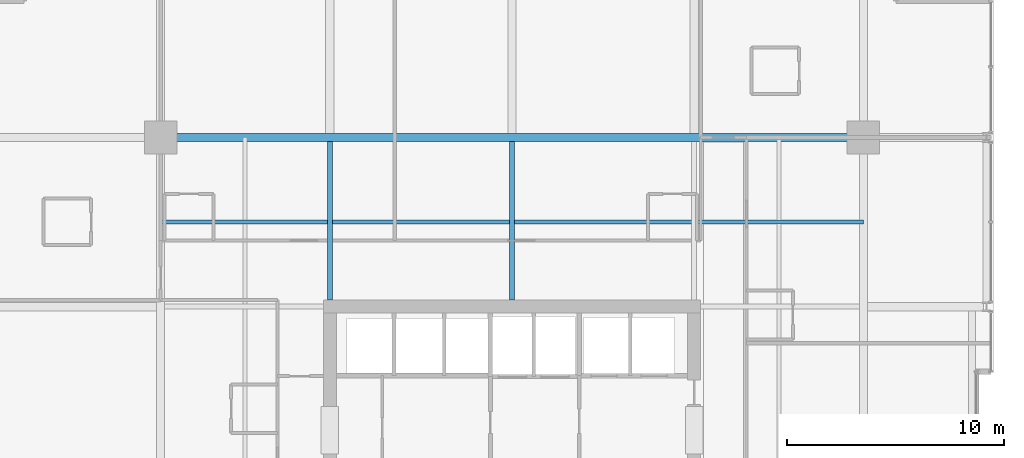
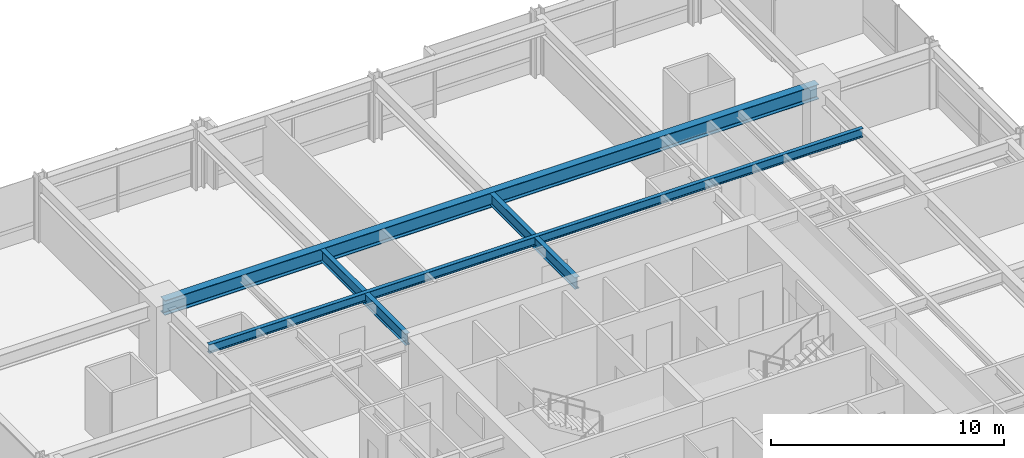
# One storey, part 19 of 34: 4 beams.
"""IFC4 building model written with IfcOpenShell, lengths in metres."""

import ifcopenshell
import ifcopenshell.guid

model = None  # the IFC model being written
_history = None  # IfcOwnerHistory: only IFC2X3 demands one
_inside = {}  # id of a spatial element -> (the spatial element, [elements in it])
_under = {}  # id of a project, library or spatial element -> (it, [spatial elements below it])
_declared = {}  # id of a project -> (the project, [libraries it declares])
_typed = {}  # id of a type object -> (the type object, [elements of that type])
_made_of = {}  # id of a material, layer set ... -> (it, [elements and type objects made of it])


def new_model(schema):
    """Start an empty IFC model of exactly this schema.

    Asked for "IFC4X3", IfcOpenShell would pick the latest addendum, in which some entities
    have other attributes; the version numbers below select the first issue.
    IFC2X3 requires an IfcOwnerHistory on every rooted entity: one is made here for all.
    """
    global model, _history
    if schema == "IFC4X3":
        model = ifcopenshell.file(schema_version=(4, 3, 0, 0))
    else:
        model = ifcopenshell.file(schema=schema)
    _inside.clear()
    _under.clear()
    _declared.clear()
    _typed.clear()
    _made_of.clear()
    _history = None
    if model.schema == "IFC2X3":
        org = make("IfcOrganization", Name="unknown")
        user = make(
            "IfcPersonAndOrganization",
            ThePerson=make("IfcPerson", FamilyName="unknown"),
            TheOrganization=org,
        )
        app = make(
            "IfcApplication",
            ApplicationDeveloper=org,
            Version="unknown",
            ApplicationFullName="unknown",
            ApplicationIdentifier="unknown",
        )
        _history = make(
            "IfcOwnerHistory",
            OwningUser=user,
            OwningApplication=app,
            ChangeAction="ADDED",
            CreationDate=0,
        )
    return model


def make(cls, **values):
    """One entity of the class cls with the attributes given. An attribute that is None is left unset."""
    return model.create_entity(
        cls, **{name: value for name, value in values.items() if value is not None}
    )


def rooted(cls, **values):
    """An entity with a GlobalId (a new one), such as an element, a storey or a relation."""
    return make(cls, GlobalId=ifcopenshell.guid.new(), OwnerHistory=_history, **values)


def si_unit(unit_type, name, prefix=None):
    """IfcSIUnit, for example si_unit("LENGTHUNIT", "METRE", prefix="MILLI")."""
    return make("IfcSIUnit", UnitType=unit_type, Prefix=prefix, Name=name)


def assignment(units):
    """IfcUnitAssignment: the units of a project."""
    return None if units is None else make("IfcUnitAssignment", Units=units)


def point(xyz):
    """IfcCartesianPoint."""
    return None if xyz is None else make("IfcCartesianPoint", Coordinates=xyz)


def direction(xyz):
    """IfcDirection."""
    return None if xyz is None else make("IfcDirection", DirectionRatios=xyz)


def frame(location, z_axis=None, x_axis=None):
    """IfcAxis2Placement3D, a coordinate frame: its origin and axes. An axis left out is left unset."""
    return make(
        "IfcAxis2Placement3D",
        Location=point(location),
        Axis=direction(z_axis),
        RefDirection=direction(x_axis),
    )


def frame_2d(location, x_axis=None):
    """IfcAxis2Placement2D, a coordinate frame in the plane: its origin and x axis."""
    return make(
        "IfcAxis2Placement2D", Location=point(location), RefDirection=direction(x_axis)
    )


def origin():
    """The frame at (0, 0, 0) with its axes left unset."""
    return frame((0.0, 0.0, 0.0))


def origin_2d():
    """The frame at (0, 0) in the plane with its x axis left unset."""
    return frame_2d((0.0, 0.0))


def place(relative_to, where):
    """IfcLocalPlacement: puts the frame where relative to a parent placement (None: the world)."""
    return make(
        "IfcLocalPlacement", PlacementRelTo=relative_to, RelativePlacement=where
    )


def context(
    kind, dimensions, precision=None, world=None, true_north=None, identifier=None
):
    """IfcGeometricRepresentationContext, for example the 3D "Model" context."""
    return make(
        "IfcGeometricRepresentationContext",
        ContextIdentifier=identifier,
        ContextType=kind,
        CoordinateSpaceDimension=dimensions,
        Precision=precision,
        WorldCoordinateSystem=world,
        TrueNorth=true_north,
    )


def subcontext(parent, identifier, kind, view, scale=None):
    """IfcGeometricRepresentationSubContext, for example "Body" below "Model"."""
    return make(
        "IfcGeometricRepresentationSubContext",
        ContextIdentifier=identifier,
        ContextType=kind,
        ParentContext=parent,
        TargetScale=scale,
        TargetView=view,
    )


def project(units=None, contexts=None):
    """IfcProject with its units and contexts."""
    return rooted(
        "IfcProject",
        Name="project",
        RepresentationContexts=contexts,
        UnitsInContext=assignment(units),
    )


def spatial(cls, under=None, at=None, **own):
    """A site, building, storey or space (cls), placed at a placement, below another one or the project."""
    s = rooted(cls, ObjectPlacement=at, **own)
    if under is not None:
        _under.setdefault(under.id(), (under, []))[1].append(s)
    return s


def profile(cls, at=None, kind="AREA", **sizes):
    """A parametric profile (cls). Its sizes go by their IFC names, for example OverallWidth=200.0."""
    return make(cls, ProfileType=kind, Position=at, **sizes)


def i_section(**sizes):
    """IfcIShapeProfileDef."""
    return profile("IfcIShapeProfileDef", **sizes)


def extrude(swept, where, along, depth):
    """IfcExtrudedAreaSolid: the profile swept, set in the frame where, extruded along a direction by depth."""
    return make(
        "IfcExtrudedAreaSolid",
        SweptArea=swept,
        Position=where,
        ExtrudedDirection=direction(along),
        Depth=depth,
    )


def shape(context_of_items, identifier, shape_type, items):
    """IfcShapeRepresentation: the items that make up one representation, for example the "Body"."""
    return make(
        "IfcShapeRepresentation",
        ContextOfItems=context_of_items,
        RepresentationIdentifier=identifier,
        RepresentationType=shape_type,
        Items=items,
    )


def material(Name=None, Category=None):
    """IfcMaterial."""
    return make("IfcMaterial", Name=Name, Category=Category)


def material_profile(
    of_material, cross_section, Name=None, Category=None, Priority=None
):
    """IfcMaterialProfile: a cross section and its material."""
    return make(
        "IfcMaterialProfile",
        Name=Name,
        Material=of_material,
        Profile=cross_section,
        Priority=Priority,
        Category=Category,
    )


def profile_set(profiles, Name=None, composite=None):
    """IfcMaterialProfileSet."""
    return make(
        "IfcMaterialProfileSet",
        Name=Name,
        MaterialProfiles=profiles,
        CompositeProfile=composite,
    )


def made_of(thing, what):
    """Note that an element or type object is made of a material, layer set ...; save() writes the relation."""
    if what is not None:
        _made_of.setdefault(what.id(), (what, []))[1].append(thing)
    return thing


def type_object(cls, material=None, **own):
    """A type object (cls), such as IfcWallType, which elements share."""
    return made_of(rooted(cls, **own), material)


def element(
    cls,
    number,
    at=None,
    inside=None,
    cuts=None,
    type_object=None,
    material=None,
    context=None,
    identifier="Body",
    shape_type=None,
    held_by="IfcProductDefinitionShape",
    body=None,
    shapes=None,
    **own,
):
    """One element of the class cls, such as IfcWall. Its Tag is "e" and its number.

    at: its placement. inside: the storey or other place that contains it. cuts: it is an
    opening in that element (IfcRelVoidsElement). A single representation is given by context,
    identifier, shape_type and body (its items); several are given by shapes. held_by: the class
    of the entity that holds the representations. save() writes the other relations.
    """
    e = rooted(cls, Tag="e%d" % number, ObjectPlacement=at, **own)
    if body is not None:
        shapes = [shape(context, identifier, shape_type, body)]
    if shapes is not None:
        e.Representation = make(held_by, Representations=shapes)
    if inside is not None:
        _inside.setdefault(inside.id(), (inside, []))[1].append(e)
    if cuts is not None:
        rooted(
            "IfcRelVoidsElement", RelatingBuildingElement=cuts, RelatedOpeningElement=e
        )
    if type_object is not None:
        _typed.setdefault(type_object.id(), (type_object, []))[1].append(e)
    return made_of(e, material)


def aggregate(whole, parts):
    """IfcRelAggregates: a whole, such as a stair, and the parts it consists of."""
    return rooted("IfcRelAggregates", RelatingObject=whole, RelatedObjects=parts)


def save(model, path):
    """Write the relations noted so far, then the file.

    IfcRelAggregates (storeys below a building ...), IfcRelContainedInSpatialStructure (elements
    in a storey), IfcRelDefinesByType, IfcRelAssociatesMaterial and IfcRelDeclares: one each for
    every whole, place, type object, material and project.
    """
    for whole, parts in _under.values():
        aggregate(whole, parts)
    for where, things in _inside.values():
        rooted(
            "IfcRelContainedInSpatialStructure",
            RelatedElements=things,
            RelatingStructure=where,
        )
    for kind, things in _typed.values():
        rooted("IfcRelDefinesByType", RelatedObjects=things, RelatingType=kind)
    for what, things in _made_of.values():
        rooted("IfcRelAssociatesMaterial", RelatedObjects=things, RelatingMaterial=what)
    for by, libraries in _declared.values():
        rooted("IfcRelDeclares", RelatingContext=by, RelatedDefinitions=libraries)
    model.write(path)


model = new_model("IFC4")

# Units and contexts
model_context = context("Model", 3, precision=1e-05, world=origin(), true_north=direction((0.0, 1.0)))
body_context = subcontext(model_context, "Body", "Model", "MODEL_VIEW")
ifc_project = project(units=[si_unit("LENGTHUNIT", "METRE"), si_unit("AREAUNIT", "SQUARE_METRE"), si_unit("VOLUMEUNIT", "CUBIC_METRE"), si_unit("PLANEANGLEUNIT", "RADIAN"), si_unit("MASSUNIT", "GRAM", prefix="KILO")], contexts=[model_context])

# Site, building, storey
site_placement = place(None, origin())
site = spatial("IfcSite", under=ifc_project, at=site_placement, CompositionType="ELEMENT")
building_placement = place(site_placement, origin())
building = spatial("IfcBuilding", under=site, at=building_placement, Name="Drelvath Grand Hotel", CompositionType="ELEMENT")
storey_placement = place(building_placement, frame((0.0, 0.0, 116.300048828125)))
storey = spatial("IfcBuildingStorey", under=building, at=storey_placement, Name="L29", CompositionType="ELEMENT", Elevation=116.300048828125)

# Beams
ifc_material = material(Name="Steel ASTM A992 Gr 50", Category="steel")
ifc_material_profile_1 = material_profile(ifc_material, i_section(OverallWidth=0.19140625, OverallDepth=0.4599609375, WebThickness=0.010009765625, FlangeThickness=0.01611328125, FilletRadius=0.01611328125, at=origin_2d()), Name="W18X55")
ifc_profile_set_1 = profile_set([ifc_material_profile_1], Name="Steel ASTM A992 Gr 50")
beam_type_1 = type_object("IfcBeamType", Name="Composite Floor Joist W18X55", PredefinedType="JOIST", material=ifc_profile_set_1)
beam_1_placement = place(storey_placement, frame((-16.199951171875, 39.300048828125, 3.010009765625), z_axis=(1.0, 0.0, 0.0), x_axis=(0.0, 1.0, 0.0)))
element("IfcBeam", 1, at=beam_1_placement, inside=storey, type_object=beam_type_1, Name="L29 Floor Joist J2", PredefinedType="JOIST", context=body_context, shape_type="SweptSolid", body=[
    extrude(i_section(OverallWidth=0.19140625, OverallDepth=0.4599609375, WebThickness=0.010009765625, FlangeThickness=0.01611328125, FilletRadius=0.01611328125, at=origin_2d()), origin(), (0.0, 0.0, 1.0), 32.39990234375),
])
ifc_material_profile_2 = material_profile(ifc_material, i_section(OverallWidth=0.228271484375, OverallDepth=0.607666015625, WebThickness=0.01123046875, FlangeThickness=0.017333984375, FilletRadius=0.02001953125, at=origin_2d()), Name="W24X76")
ifc_profile_set_2 = profile_set([ifc_material_profile_2], Name="Steel ASTM A992 Gr 50")
beam_type_2 = type_object("IfcBeamType", Name="Primary Floor Girder W24X76", PredefinedType="BEAM", material=ifc_profile_set_2)
for number, where, z_axis, x_axis, name in (
    (2, (-8.39990234375, 35.699951171875, 2.93603515625), (0.0, 1.0, 0.0), (-1.0, 0.0, 0.0), "L29 North Core Tie 4"),
    (3, (0.0, 35.699951171875, 2.93603515625), (0.0, 1.0, 0.0), (-1.0, 0.0, 0.0), "L29 North Core Tie 5"),
):
    element("IfcBeam", number, at=place(storey_placement, frame(where, z_axis=z_axis, x_axis=x_axis)), inside=storey, type_object=beam_type_2, Name=name, PredefinedType="BEAM", context=body_context, shape_type="SweptSolid", body=[
        extrude(i_section(OverallWidth=0.228271484375, OverallDepth=0.607666015625, WebThickness=0.01123046875, FlangeThickness=0.017333984375, FilletRadius=0.02001953125, at=origin_2d()), origin(), (0.0, 0.0, 1.0), 7.309814453125),
    ])
ifc_material_profile_3 = material_profile(ifc_material, i_section(OverallWidth=0.380615234375, OverallDepth=0.773193359375, WebThickness=0.0166015625, FlangeThickness=0.027099609375, FilletRadius=0.02490234375, at=origin_2d()), Name="W30X173")
ifc_profile_set_3 = profile_set([ifc_material_profile_3], Name="Steel ASTM A992 Gr 50")
beam_type_3 = type_object("IfcBeamType", Name="Primary Floor Girder W30X173", PredefinedType="BEAM", material=ifc_profile_set_3)
beam_2_placement = place(storey_placement, frame((-16.199951171875, 43.199951171875, 2.853271484375), z_axis=(1.0, 0.0, 0.0), x_axis=(0.0, 1.0, 0.0)))
element("IfcBeam", 4, at=beam_2_placement, inside=storey, type_object=beam_type_3, Name="L29 Mega Ring Girder North", PredefinedType="BEAM", context=body_context, shape_type="SweptSolid", body=[
    extrude(i_section(OverallWidth=0.380615234375, OverallDepth=0.773193359375, WebThickness=0.0166015625, FlangeThickness=0.027099609375, FilletRadius=0.02490234375, at=origin_2d()), origin(), (0.0, 0.0, 1.0), 32.39990234375),
])

save(model, "model.ifc")
